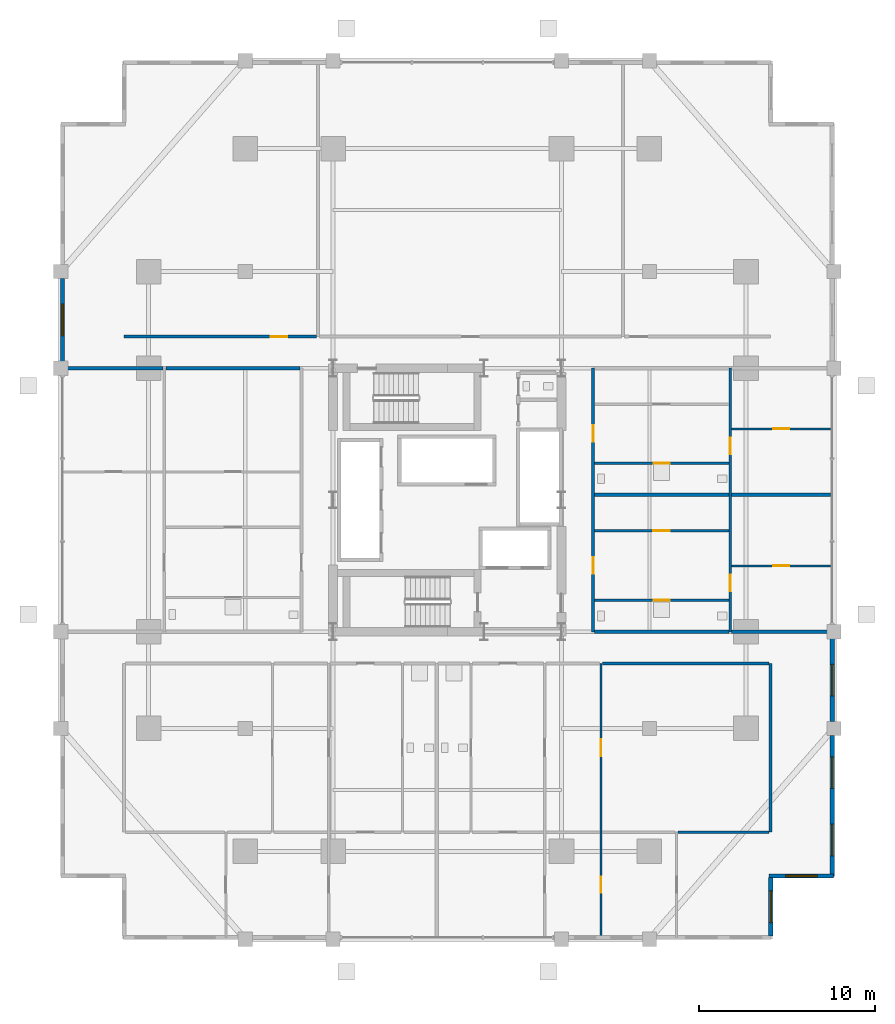
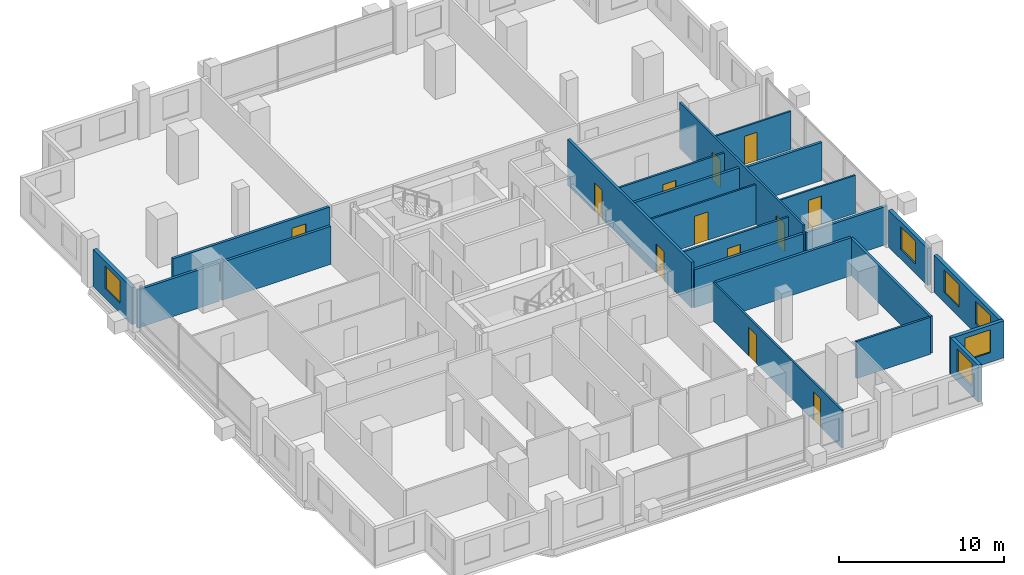
# One storey, part 19 of 23: 23 walls, 12 doors, 6 windows, 18 openings.
"""IFC4 building model written with IfcOpenShell, lengths in metres."""

from ifc_helpers import new_model, si_unit, direction, frame, frame_2d, origin, place, context, subcontext, project, spatial, rectangle, extrude, material, layer, layer_set, type_object, element, fill, save


model = new_model("IFC4")

# Units and contexts
model_context = context("Model", 3, precision=1e-05, world=origin(), true_north=direction((0.0, 1.0)))
body_context = subcontext(model_context, "Body", "Model", "MODEL_VIEW")
ifc_project = project(units=[si_unit("LENGTHUNIT", "METRE"), si_unit("AREAUNIT", "SQUARE_METRE"), si_unit("VOLUMEUNIT", "CUBIC_METRE"), si_unit("PLANEANGLEUNIT", "RADIAN"), si_unit("MASSUNIT", "GRAM", prefix="KILO")], contexts=[model_context])

# Site, building, storey
site_placement = place(None, origin())
site = spatial("IfcSite", under=ifc_project, at=site_placement, CompositionType="ELEMENT")
building_placement = place(site_placement, origin())
building = spatial("IfcBuilding", under=site, at=building_placement, Name="Barlavira Tower and Art Museum", CompositionType="ELEMENT")
storey_placement = place(building_placement, frame((0.0, 0.0, 75.60009765625)))
storey = spatial("IfcBuildingStorey", under=building, at=storey_placement, Name="L18", CompositionType="ELEMENT", Elevation=75.60009765625)

# Wall, openings, doors
ifc_material_1 = material(Name="Gypsum acoustic stud partition", Category="gypsum")
ifc_layer_1 = layer(ifc_material_1, 0.1201171875, Name="Gypsum acoustic stud partition")
ifc_layer_set_1 = layer_set([ifc_layer_1], Name="Gypsum acoustic stud partition")
wall_type_1 = type_object("IfcWallType", Name="Apartment Internal Acoustic Partition 120", PredefinedType="PARTITIONING", material=ifc_layer_set_1)
wall_1_placement = place(storey_placement, frame((8.75, -24.89990234375, 0.0), z_axis=(0.0, 0.0, 1.0), x_axis=(0.0, 1.0, 0.0)))
wall_1 = element("IfcWall", 1, at=wall_1_placement, inside=storey, type_object=wall_type_1, Name="L18 Partition Wall 14", PredefinedType="PARTITIONING", context=body_context, shape_type="SweptSolid", body=[
    extrude(rectangle(XDim=15.599853515625, YDim=0.1201171875, at=frame_2d((7.7998046875, 0.0))), origin(), (0.0, 0.0, 1.0), 2.81591796875),
])
opening_1_placement = place(wall_1_placement, frame((10.324951171875, 0.0, 0.0)))
opening_1 = element("IfcOpeningElement", 2, at=opening_1_placement, cuts=wall_1, Name="Opening D-02", PredefinedType="OPENING", context=body_context, shape_type="SweptSolid", body=[
    extrude(rectangle(XDim=0.949951171875, YDim=2.10009765625, at=frame_2d((0.47509765625, 1.050048828125))), frame((0.0, 0.070068359375, 0.0), z_axis=(0.0, -1.0, 0.0), x_axis=(1.0, 0.0, 0.0)), (0.0, 0.0, 1.0), 0.14013671875),
])
opening_2_placement = place(wall_1_placement, frame((2.550048828125, 0.0, 0.0)))
opening_2 = element("IfcOpeningElement", 3, at=opening_2_placement, cuts=wall_1, Name="Opening D-01", PredefinedType="OPENING", context=body_context, shape_type="SweptSolid", body=[
    extrude(rectangle(XDim=0.89990234375, YDim=2.10009765625, at=frame_2d((0.449951171875, 1.050048828125))), frame((0.0, 0.070068359375, 0.0), z_axis=(0.0, -1.0, 0.0), x_axis=(1.0, 0.0, 0.0)), (0.0, 0.0, 1.0), 0.14013671875),
])
ifc_material_2 = material(Name="Engineered coastal hardwood", Category="wood")
door_type_1 = type_object("IfcDoorType", Name="Internal Bedroom Timber Flush Door 900x2100", OperationType="NOTDEFINED", PredefinedType="DOOR", material=ifc_material_2)
door_1_placement = place(opening_2_placement, origin())
door_1 = element("IfcDoor", 4, at=door_1_placement, inside=storey, type_object=door_type_1, Name="Apartment S2 Bedroom 2 Door", OperationType="SINGLE_SWING_LEFT", OverallHeight=2.10009765625, OverallWidth=0.89990234375, PredefinedType="DOOR", context=body_context, shape_type="SweptSolid", body=[
    extrude(rectangle(XDim=0.89990234375, YDim=2.10009765625, at=frame_2d((0.449951171875, 1.050048828125))), frame((0.0, 0.02490234375, 0.0), z_axis=(0.0, -1.0, 0.0), x_axis=(1.0, 0.0, 0.0)), (0.0, 0.0, 1.0), 0.050048828125),
])
fill(opening_2, door_1)
door_type_2 = type_object("IfcDoorType", Name="Living and Salon Glazed-Leaf Door 950x2100", OperationType="NOTDEFINED", PredefinedType="DOOR", material=ifc_material_2)
door_2_placement = place(opening_1_placement, origin())
door_2 = element("IfcDoor", 5, at=door_2_placement, inside=storey, type_object=door_type_2, Name="Apartment S2 Dining Salon Door", OperationType="SINGLE_SWING_RIGHT", OverallHeight=2.10009765625, OverallWidth=0.949951171875, PredefinedType="DOOR", context=body_context, shape_type="SweptSolid", body=[
    extrude(rectangle(XDim=0.949951171875, YDim=2.10009765625, at=frame_2d((0.47509765625, 1.050048828125))), frame((0.0, 0.02490234375, 0.0), z_axis=(0.0, -1.0, 0.0), x_axis=(1.0, 0.0, 0.0)), (0.0, 0.0, 1.0), 0.050048828125),
])
fill(opening_1, door_2)

# Wall, opening, door
wall_2_placement = place(storey_placement, frame((16.179931640625, -3.75, 0.0), z_axis=(0.0, 0.0, 1.0), x_axis=(1.0, 0.0, 0.0)))
wall_2 = element("IfcWall", 6, at=wall_2_placement, inside=storey, type_object=wall_type_1, Name="L18 Partition Wall 43", PredefinedType="PARTITIONING", context=body_context, shape_type="SweptSolid", body=[
    extrude(rectangle(XDim=5.64013671875, YDim=0.1201171875, at=frame_2d((2.820068359375, 0.0))), origin(), (0.0, 0.0, 1.0), 2.81591796875),
])
opening_3_placement = place(wall_2_placement, frame((2.3701171875, 0.0, 0.0)))
opening_3 = element("IfcOpeningElement", 7, at=opening_3_placement, cuts=wall_2, Name="Opening D-01", PredefinedType="OPENING", context=body_context, shape_type="SweptSolid", body=[
    extrude(rectangle(XDim=0.89990234375, YDim=2.10009765625, at=frame_2d((0.449951171875, 1.050048828125))), frame((0.0, 0.070068359375, 0.0), z_axis=(0.0, -1.0, 0.0), x_axis=(1.0, 0.0, 0.0)), (0.0, 0.0, 1.0), 0.14013671875),
])
door_3_placement = place(opening_3_placement, origin())
door_3 = element("IfcDoor", 8, at=door_3_placement, inside=storey, type_object=door_type_1, Name="Apartment E1 Bedroom 1 Door", OperationType="SINGLE_SWING_RIGHT", OverallHeight=2.10009765625, OverallWidth=0.89990234375, PredefinedType="DOOR", context=body_context, shape_type="SweptSolid", body=[
    extrude(rectangle(XDim=0.89990234375, YDim=2.10009765625, at=frame_2d((0.449951171875, 1.050048828125))), frame((0.0, 0.02490234375, 0.0), z_axis=(0.0, -1.0, 0.0), x_axis=(1.0, 0.0, 0.0)), (0.0, 0.0, 1.0), 0.050048828125),
])
fill(opening_3, door_3)

wall_3_placement = place(storey_placement, frame((8.3798828125, -1.75, 0.0), z_axis=(0.0, 0.0, 1.0), x_axis=(1.0, 0.0, 0.0)))
wall_3 = element("IfcWall", 9, at=wall_3_placement, inside=storey, type_object=wall_type_1, Name="L18 Partition Wall 44", PredefinedType="PARTITIONING", context=body_context, shape_type="SweptSolid", body=[
    extrude(rectangle(XDim=7.64013671875, YDim=0.1201171875, at=frame_2d((3.820068359375, 0.0))), origin(), (0.0, 0.0, 1.0), 2.947998046875),
])
opening_4_placement = place(wall_3_placement, frame((3.344970703125, 0.0, 0.0)))
opening_4 = element("IfcOpeningElement", 10, at=opening_4_placement, cuts=wall_3, Name="Opening D-02", PredefinedType="OPENING", context=body_context, shape_type="SweptSolid", body=[
    extrude(rectangle(XDim=0.949951171875, YDim=2.10009765625, at=frame_2d((0.47509765625, 1.050048828125))), frame((0.0, 0.070068359375, 0.0), z_axis=(0.0, -1.0, 0.0), x_axis=(1.0, 0.0, 0.0)), (0.0, 0.0, 1.0), 0.14013671875),
])
door_4_placement = place(opening_4_placement, origin())
door_4 = element("IfcDoor", 11, at=door_4_placement, inside=storey, type_object=door_type_2, Name="Apartment E1 Kitchen Door", OperationType="SINGLE_SWING_RIGHT", OverallHeight=2.10009765625, OverallWidth=0.949951171875, PredefinedType="DOOR", context=body_context, shape_type="SweptSolid", body=[
    extrude(rectangle(XDim=0.949951171875, YDim=2.10009765625, at=frame_2d((0.47509765625, 1.050048828125))), frame((0.0, 0.02490234375, 0.0), z_axis=(0.0, -1.0, 0.0), x_axis=(1.0, 0.0, 0.0)), (0.0, 0.0, 1.0), 0.050048828125),
])
fill(opening_4, door_4)

wall_4_placement = place(storey_placement, frame((16.179931640625, 4.050048828125, 0.0), z_axis=(0.0, 0.0, 1.0), x_axis=(1.0, 0.0, 0.0)))
wall_4 = element("IfcWall", 12, at=wall_4_placement, inside=storey, type_object=wall_type_1, Name="L18 Partition Wall 51", PredefinedType="PARTITIONING", context=body_context, shape_type="SweptSolid", body=[
    extrude(rectangle(XDim=5.64013671875, YDim=0.1201171875, at=frame_2d((2.820068359375, 0.0))), origin(), (0.0, 0.0, 1.0), 2.81591796875),
])
opening_5_placement = place(wall_4_placement, frame((2.3701171875, 0.0, 0.0)))
opening_5 = element("IfcOpeningElement", 13, at=opening_5_placement, cuts=wall_4, Name="Opening D-01", PredefinedType="OPENING", context=body_context, shape_type="SweptSolid", body=[
    extrude(rectangle(XDim=0.89990234375, YDim=2.10009765625, at=frame_2d((0.449951171875, 1.050048828125))), frame((0.0, 0.070068359375, 0.0), z_axis=(0.0, -1.0, 0.0), x_axis=(1.0, 0.0, 0.0)), (0.0, 0.0, 1.0), 0.14013671875),
])
door_5_placement = place(opening_5_placement, origin())
door_5 = element("IfcDoor", 14, at=door_5_placement, inside=storey, type_object=door_type_1, Name="Apartment E2 Bedroom 1 Door", OperationType="SINGLE_SWING_LEFT", OverallHeight=2.10009765625, OverallWidth=0.89990234375, PredefinedType="DOOR", context=body_context, shape_type="SweptSolid", body=[
    extrude(rectangle(XDim=0.89990234375, YDim=2.10009765625, at=frame_2d((0.449951171875, 1.050048828125))), frame((0.0, 0.02490234375, 0.0), z_axis=(0.0, -1.0, 0.0), x_axis=(1.0, 0.0, 0.0)), (0.0, 0.0, 1.0), 0.050048828125),
])
fill(opening_5, door_5)

# Wall, openings, doors
ifc_layer_2 = layer(ifc_material_1, 0.179931640625, Name="Gypsum acoustic stud partition")
ifc_layer_set_2 = layer_set([ifc_layer_2], Name="Gypsum acoustic stud partition")
wall_type_2 = type_object("IfcWallType", Name="Inter-Tenancy Party Partition Wall 180", PredefinedType="PARTITIONING", material=ifc_layer_set_2)
wall_5_placement = place(storey_placement, frame((8.300048828125, -7.5, 0.0), z_axis=(0.0, 0.0, 1.0), x_axis=(0.0, 1.0, 0.0)))
wall_5 = element("IfcWall", 15, at=wall_5_placement, inside=storey, type_object=wall_type_2, Name="L18 Partition Wall 13", PredefinedType="PARTITIONING", context=body_context, shape_type="SweptSolid", body=[
    extrude(rectangle(XDim=15.0, YDim=0.179931640625, at=frame_2d((7.5, 0.0))), origin(), (0.0, 0.0, 1.0), 3.3798828125),
])
opening_6_placement = place(wall_5_placement, frame((3.304931640625, 0.0, 0.0)))
opening_6 = element("IfcOpeningElement", 16, at=opening_6_placement, cuts=wall_5, Name="Opening FD-60", PredefinedType="OPENING", context=body_context, shape_type="SweptSolid", body=[
    extrude(rectangle(XDim=0.949951171875, YDim=2.14990234375, at=frame_2d((0.47509765625, 1.074951171875))), frame((0.0, 0.10009765625, 0.0), z_axis=(0.0, -1.0, 0.0), x_axis=(1.0, 0.0, 0.0)), (0.0, 0.0, 1.0), 0.199951171875),
])
opening_7_placement = place(wall_5_placement, frame((10.804931640625, 0.0, 0.0)))
opening_7 = element("IfcOpeningElement", 17, at=opening_7_placement, cuts=wall_5, Name="Opening FD-60", PredefinedType="OPENING", context=body_context, shape_type="SweptSolid", body=[
    extrude(rectangle(XDim=0.949951171875, YDim=2.14990234375, at=frame_2d((0.47509765625, 1.074951171875))), frame((0.0, 0.10009765625, 0.0), z_axis=(0.0, -1.0, 0.0), x_axis=(1.0, 0.0, 0.0)), (0.0, 0.0, 1.0), 0.199951171875),
])
ifc_material_3 = material(Name="Brushed stainless steel", Category="steel")
door_type_3 = type_object("IfcDoorType", Name="Apartment Entrance and Riser Fire Door 950x2150 FD60S", OperationType="NOTDEFINED", PredefinedType="DOOR", material=ifc_material_3)
door_6_placement = place(opening_6_placement, origin())
door_6 = element("IfcDoor", 18, at=door_6_placement, inside=storey, type_object=door_type_3, Name="Apartment Entrance Hall E1 Door", OperationType="SINGLE_SWING_LEFT", OverallHeight=2.14990234375, OverallWidth=0.949951171875, PredefinedType="DOOR", context=body_context, shape_type="SweptSolid", body=[
    extrude(rectangle(XDim=0.949951171875, YDim=2.14990234375, at=frame_2d((0.47509765625, 1.074951171875))), frame((0.0, 0.02490234375, 0.0), z_axis=(0.0, -1.0, 0.0), x_axis=(1.0, 0.0, 0.0)), (0.0, 0.0, 1.0), 0.050048828125),
])
fill(opening_6, door_6)
door_7_placement = place(opening_7_placement, origin())
door_7 = element("IfcDoor", 19, at=door_7_placement, inside=storey, type_object=door_type_3, Name="Apartment Entrance Hall E2 Door", OperationType="SINGLE_SWING_RIGHT", OverallHeight=2.14990234375, OverallWidth=0.949951171875, PredefinedType="DOOR", context=body_context, shape_type="SweptSolid", body=[
    extrude(rectangle(XDim=0.949951171875, YDim=2.14990234375, at=frame_2d((0.47509765625, 1.074951171875))), frame((0.0, 0.02490234375, 0.0), z_axis=(0.0, -1.0, 0.0), x_axis=(1.0, 0.0, 0.0)), (0.0, 0.0, 1.0), 0.050048828125),
])
fill(opening_7, door_7)

# Walls
wall_6_placement = place(storey_placement, frame((18.39990234375, -18.89990234375, 0.0), z_axis=(0.0, 0.0, 1.0), x_axis=(0.0, 1.0, 0.0)))
element("IfcWall", 20, at=wall_6_placement, inside=storey, type_object=wall_type_2, Name="L18 Partition Wall 18", PredefinedType="PARTITIONING", context=body_context, shape_type="SweptSolid", body=[
    extrude(rectangle(XDim=9.599853515625, YDim=0.179931640625, at=frame_2d((4.7998046875, 0.0))), origin(), (0.0, 0.0, 1.0), 2.73583984375),
])
wall_7_placement = place(storey_placement, frame((8.830078125, -9.300048828125, 0.0), z_axis=(0.0, 0.0, 1.0), x_axis=(1.0, 0.0, 0.0)))
element("IfcWall", 21, at=wall_7_placement, inside=storey, type_object=wall_type_2, Name="L18 Partition Wall 36", PredefinedType="PARTITIONING", context=body_context, shape_type="SweptSolid", body=[
    extrude(rectangle(XDim=9.489990234375, YDim=0.179931640625, at=frame_2d((4.7451171875, 0.0))), origin(), (0.0, 0.0, 1.0), 2.81591796875),
])
wall_8_placement = place(storey_placement, frame((8.3798828125, -7.5, 0.0), z_axis=(0.0, 0.0, 1.0), x_axis=(1.0, 0.0, 0.0)))
element("IfcWall", 22, at=wall_8_placement, inside=storey, type_object=wall_type_2, Name="L18 Partition Wall 39", PredefinedType="PARTITIONING", context=body_context, shape_type="SweptSolid", body=[
    extrude(rectangle(XDim=7.64013671875, YDim=0.179931640625, at=frame_2d((3.820068359375, 0.0))), origin(), (0.0, 0.0, 1.0), 2.81591796875),
])
wall_9_placement = place(storey_placement, frame((16.179931640625, -7.5, 0.0), z_axis=(0.0, 0.0, 1.0), x_axis=(1.0, 0.0, 0.0)))
element("IfcWall", 23, at=wall_9_placement, inside=storey, type_object=wall_type_2, Name="L18 Partition Wall 40", PredefinedType="PARTITIONING", context=body_context, shape_type="SweptSolid", body=[
    extrude(rectangle(XDim=5.719970703125, YDim=0.179931640625, at=frame_2d((2.85986328125, 0.0))), origin(), (0.0, 0.0, 1.0), 2.81591796875),
])
wall_10_placement = place(storey_placement, frame((8.3798828125, 0.300048828125, 0.0), z_axis=(0.0, 0.0, 1.0), x_axis=(1.0, 0.0, 0.0)))
element("IfcWall", 24, at=wall_10_placement, inside=storey, type_object=wall_type_2, Name="L18 Partition Wall 46", PredefinedType="PARTITIONING", context=body_context, shape_type="SweptSolid", body=[
    extrude(rectangle(XDim=7.64013671875, YDim=0.179931640625, at=frame_2d((3.820068359375, 0.0))), origin(), (0.0, 0.0, 1.0), 2.947998046875),
])
wall_11_placement = place(storey_placement, frame((16.179931640625, 0.300048828125, 0.0), z_axis=(0.0, 0.0, 1.0), x_axis=(1.0, 0.0, 0.0)))
element("IfcWall", 25, at=wall_11_placement, inside=storey, type_object=wall_type_2, Name="L18 Partition Wall 47", PredefinedType="PARTITIONING", context=body_context, shape_type="SweptSolid", body=[
    extrude(rectangle(XDim=5.64013671875, YDim=0.179931640625, at=frame_2d((2.820068359375, 0.0))), origin(), (0.0, 0.0, 1.0), 2.81591796875),
])
wall_12_placement = place(storey_placement, frame((-21.89990234375, 7.5, 0.0), z_axis=(0.0, 0.0, 1.0), x_axis=(1.0, 0.0, 0.0)))
element("IfcWall", 26, at=wall_12_placement, inside=storey, type_object=wall_type_2, Name="L18 Partition Wall 55", PredefinedType="PARTITIONING", context=body_context, shape_type="SweptSolid", body=[
    extrude(rectangle(XDim=5.719970703125, YDim=0.179931640625, at=frame_2d((2.85986328125, 0.0))), origin(), (0.0, 0.0, 1.0), 2.81591796875),
])
wall_13_placement = place(storey_placement, frame((-16.02001953125, 7.5, 0.0), z_axis=(0.0, 0.0, 1.0), x_axis=(1.0, 0.0, 0.0)))
element("IfcWall", 27, at=wall_13_placement, inside=storey, type_object=wall_type_2, Name="L18 Partition Wall 56", PredefinedType="PARTITIONING", context=body_context, shape_type="SweptSolid", body=[
    extrude(rectangle(XDim=7.64013671875, YDim=0.179931640625, at=frame_2d((3.820068359375, 0.0))), origin(), (0.0, 0.0, 1.0), 2.81591796875),
])

# Wall, opening, door
wall_14_placement = place(storey_placement, frame((-18.39990234375, 9.300048828125, 0.0), z_axis=(0.0, 0.0, 1.0), x_axis=(1.0, 0.0, 0.0)))
wall_14 = element("IfcWall", 28, at=wall_14_placement, inside=storey, type_object=wall_type_2, Name="L18 Partition Wall 59", PredefinedType="PARTITIONING", context=body_context, shape_type="SweptSolid", body=[
    extrude(rectangle(XDim=10.969970703125, YDim=0.179931640625, at=frame_2d((5.48486328125, 0.0))), origin(), (0.0, 0.0, 1.0), 2.81591796875),
])
opening_8_placement = place(wall_14_placement, frame((8.344970703125, 0.0, 0.0)))
opening_8 = element("IfcOpeningElement", 29, at=opening_8_placement, cuts=wall_14, Name="Opening FD-60", PredefinedType="OPENING", context=body_context, shape_type="SweptSolid", body=[
    extrude(rectangle(XDim=0.949951171875, YDim=2.14990234375, at=frame_2d((0.47509765625, 1.074951171875))), frame((0.0, 0.10009765625, 0.0), z_axis=(0.0, -1.0, 0.0), x_axis=(1.0, 0.0, 0.0)), (0.0, 0.0, 1.0), 0.199951171875),
])
door_8_placement = place(opening_8_placement, origin())
door_8 = element("IfcDoor", 30, at=door_8_placement, inside=storey, type_object=door_type_3, Name="Resident Rare-Book Reading Room Door", OperationType="SINGLE_SWING_LEFT", OverallHeight=2.14990234375, OverallWidth=0.949951171875, PredefinedType="DOOR", context=body_context, shape_type="SweptSolid", body=[
    extrude(rectangle(XDim=0.949951171875, YDim=2.14990234375, at=frame_2d((0.47509765625, 1.074951171875))), frame((0.0, 0.02490234375, 0.0), z_axis=(0.0, -1.0, 0.0), x_axis=(1.0, 0.0, 0.0)), (0.0, 0.0, 1.0), 0.050048828125),
])
fill(opening_8, door_8)

# Wall, openings, doors
ifc_layer_3 = layer(ifc_material_1, 0.139892578125, Name="Gypsum acoustic stud partition")
ifc_layer_set_3 = layer_set([ifc_layer_3], Name="Gypsum acoustic stud partition")
wall_type_3 = type_object("IfcWallType", Name="Moisture-Resistant Bathroom Partition 140", PredefinedType="PARTITIONING", material=ifc_layer_set_3)
wall_15_placement = place(storey_placement, frame((16.10009765625, -7.5, 0.0), z_axis=(0.0, 0.0, 1.0), x_axis=(0.0, 1.0, 0.0)))
wall_15 = element("IfcWall", 31, at=wall_15_placement, inside=storey, type_object=wall_type_3, Name="L18 Partition Wall 17", PredefinedType="PARTITIONING", context=body_context, shape_type="SweptSolid", body=[
    extrude(rectangle(XDim=15.0, YDim=0.139892578125, at=frame_2d((7.5, 0.0))), origin(), (0.0, 0.0, 1.0), 3.3798828125),
])
opening_9_placement = place(wall_15_placement, frame((2.304931640625, 0.0, 0.0)))
opening_9 = element("IfcOpeningElement", 32, at=opening_9_placement, cuts=wall_15, Name="Opening D-02", PredefinedType="OPENING", context=body_context, shape_type="SweptSolid", body=[
    extrude(rectangle(XDim=0.949951171875, YDim=2.10009765625, at=frame_2d((0.47509765625, 1.050048828125))), frame((0.0, 0.080078125, 0.0), z_axis=(0.0, -1.0, 0.0), x_axis=(1.0, 0.0, 0.0)), (0.0, 0.0, 1.0), 0.159912109375),
])
opening_10_placement = place(wall_15_placement, frame((10.10498046875, 0.0, 0.0)))
opening_10 = element("IfcOpeningElement", 33, at=opening_10_placement, cuts=wall_15, Name="Opening D-02", PredefinedType="OPENING", context=body_context, shape_type="SweptSolid", body=[
    extrude(rectangle(XDim=0.949951171875, YDim=2.10009765625, at=frame_2d((0.47509765625, 1.050048828125))), frame((0.0, 0.080078125, 0.0), z_axis=(0.0, -1.0, 0.0), x_axis=(1.0, 0.0, 0.0)), (0.0, 0.0, 1.0), 0.159912109375),
])
door_9_placement = place(opening_9_placement, origin())
door_9 = element("IfcDoor", 34, at=door_9_placement, inside=storey, type_object=door_type_2, Name="Apartment E1 Living Lounge Door", OperationType="SINGLE_SWING_LEFT", OverallHeight=2.10009765625, OverallWidth=0.949951171875, PredefinedType="DOOR", context=body_context, shape_type="SweptSolid", body=[
    extrude(rectangle(XDim=0.949951171875, YDim=2.10009765625, at=frame_2d((0.47509765625, 1.050048828125))), frame((0.0, 0.02490234375, 0.0), z_axis=(0.0, -1.0, 0.0), x_axis=(1.0, 0.0, 0.0)), (0.0, 0.0, 1.0), 0.050048828125),
])
fill(opening_9, door_9)
door_10_placement = place(opening_10_placement, origin())
door_10 = element("IfcDoor", 35, at=door_10_placement, inside=storey, type_object=door_type_2, Name="Apartment E2 Living Lounge Door", OperationType="SINGLE_SWING_RIGHT", OverallHeight=2.10009765625, OverallWidth=0.949951171875, PredefinedType="DOOR", context=body_context, shape_type="SweptSolid", body=[
    extrude(rectangle(XDim=0.949951171875, YDim=2.10009765625, at=frame_2d((0.47509765625, 1.050048828125))), frame((0.0, 0.02490234375, 0.0), z_axis=(0.0, -1.0, 0.0), x_axis=(1.0, 0.0, 0.0)), (0.0, 0.0, 1.0), 0.050048828125),
])
fill(opening_10, door_10)

# Wall
wall_16_placement = place(storey_placement, frame((13.1298828125, -18.89990234375, 0.0), z_axis=(0.0, 0.0, 1.0), x_axis=(1.0, 0.0, 0.0)))
element("IfcWall", 36, at=wall_16_placement, inside=storey, type_object=wall_type_3, Name="L18 Partition Wall 28", PredefinedType="PARTITIONING", context=body_context, shape_type="SweptSolid", body=[
    extrude(rectangle(XDim=5.190185546875, YDim=0.139892578125, at=frame_2d((2.59521484375, 0.0))), origin(), (0.0, 0.0, 1.0), 2.73583984375),
])

# Wall, opening, door
wall_17_placement = place(storey_placement, frame((8.3798828125, -5.699951171875, 0.0), z_axis=(0.0, 0.0, 1.0), x_axis=(1.0, 0.0, 0.0)))
wall_17 = element("IfcWall", 37, at=wall_17_placement, inside=storey, type_object=wall_type_3, Name="L18 Partition Wall 41", PredefinedType="PARTITIONING", context=body_context, shape_type="SweptSolid", body=[
    extrude(rectangle(XDim=7.64013671875, YDim=0.139892578125, at=frame_2d((3.820068359375, 0.0))), origin(), (0.0, 0.0, 1.0), 2.947998046875),
])
opening_11_placement = place(wall_17_placement, frame((3.3701171875, 0.0, 0.0)))
opening_11 = element("IfcOpeningElement", 38, at=opening_11_placement, cuts=wall_17, Name="Opening D-WC", PredefinedType="OPENING", context=body_context, shape_type="SweptSolid", body=[
    extrude(rectangle(XDim=0.89990234375, YDim=2.10009765625, at=frame_2d((0.449951171875, 1.050048828125))), frame((0.0, 0.080078125, 0.0), z_axis=(0.0, -1.0, 0.0), x_axis=(1.0, 0.0, 0.0)), (0.0, 0.0, 1.0), 0.159912109375),
])
door_type_4 = type_object("IfcDoorType", Name="Accessible Bathroom Flush Door 900x2100", OperationType="NOTDEFINED", PredefinedType="DOOR", material=ifc_material_2)
door_11_placement = place(opening_11_placement, origin())
door_11 = element("IfcDoor", 39, at=door_11_placement, inside=storey, type_object=door_type_4, Name="Apartment E1 Hall Bathroom Door", OperationType="SINGLE_SWING_RIGHT", OverallHeight=2.10009765625, OverallWidth=0.89990234375, PredefinedType="DOOR", context=body_context, shape_type="SweptSolid", body=[
    extrude(rectangle(XDim=0.89990234375, YDim=2.10009765625, at=frame_2d((0.449951171875, 1.050048828125))), frame((0.0, 0.02490234375, 0.0), z_axis=(0.0, -1.0, 0.0), x_axis=(1.0, 0.0, 0.0)), (0.0, 0.0, 1.0), 0.050048828125),
])
fill(opening_11, door_11)

wall_18_placement = place(storey_placement, frame((8.3798828125, 2.10009765625, 0.0), z_axis=(0.0, 0.0, 1.0), x_axis=(1.0, 0.0, 0.0)))
wall_18 = element("IfcWall", 40, at=wall_18_placement, inside=storey, type_object=wall_type_3, Name="L18 Partition Wall 50", PredefinedType="PARTITIONING", context=body_context, shape_type="SweptSolid", body=[
    extrude(rectangle(XDim=7.64013671875, YDim=0.139892578125, at=frame_2d((3.820068359375, 0.0))), origin(), (0.0, 0.0, 1.0), 2.947998046875),
])
opening_12_placement = place(wall_18_placement, frame((3.3701171875, 0.0, 0.0)))
opening_12 = element("IfcOpeningElement", 41, at=opening_12_placement, cuts=wall_18, Name="Opening D-WC", PredefinedType="OPENING", context=body_context, shape_type="SweptSolid", body=[
    extrude(rectangle(XDim=0.89990234375, YDim=2.10009765625, at=frame_2d((0.449951171875, 1.050048828125))), frame((0.0, 0.080078125, 0.0), z_axis=(0.0, -1.0, 0.0), x_axis=(1.0, 0.0, 0.0)), (0.0, 0.0, 1.0), 0.159912109375),
])
door_12_placement = place(opening_12_placement, origin())
door_12 = element("IfcDoor", 42, at=door_12_placement, inside=storey, type_object=door_type_4, Name="Apartment E2 Hall Bathroom Door", OperationType="SINGLE_SWING_LEFT", OverallHeight=2.10009765625, OverallWidth=0.89990234375, PredefinedType="DOOR", context=body_context, shape_type="SweptSolid", body=[
    extrude(rectangle(XDim=0.89990234375, YDim=2.10009765625, at=frame_2d((0.449951171875, 1.050048828125))), frame((0.0, 0.02490234375, 0.0), z_axis=(0.0, -1.0, 0.0), x_axis=(1.0, 0.0, 0.0)), (0.0, 0.0, 1.0), 0.050048828125),
])
fill(opening_12, door_12)

# Wall, opening, window
ifc_material_4 = material(Name="Precast concrete C40", Category="concrete")
ifc_layer_4 = layer(ifc_material_4, 0.25, Name="Precast concrete C40")
ifc_layer_set_4 = layer_set([ifc_layer_4], Name="Precast concrete C40")
wall_type_4 = type_object("IfcWallType", Name="Notched Corner Spandrel Wall 250 Precast Concrete C40", PredefinedType="SOLIDWALL", material=ifc_layer_set_4)
wall_19_placement = place(storey_placement, frame((-21.89990234375, 12.60498046875, 0.0), z_axis=(0.0, 0.0, 1.0), x_axis=(0.0, -1.0, 0.0)))
wall_19 = element("IfcWall", 43, at=wall_19_placement, inside=storey, type_object=wall_type_4, Name="L18 Coastal Facade Pier Wall CW1-L18-W-2", PredefinedType="SOLIDWALL", context=body_context, shape_type="SweptSolid", body=[
    extrude(rectangle(XDim=4.7099609375, YDim=0.25, at=frame_2d((2.35498046875, 0.0))), origin(), (0.0, 0.0, 1.0), 2.73583984375),
])
opening_13_placement = place(wall_19_placement, frame((1.455078125, 0.0, 0.719970703125)))
opening_13 = element("IfcOpeningElement", 44, at=opening_13_placement, cuts=wall_19, Name="Opening WN-01", PredefinedType="OPENING", context=body_context, shape_type="SweptSolid", body=[
    extrude(rectangle(XDim=1.800048828125, YDim=1.679931640625, at=frame_2d((0.89990234375, 0.83984375))), frame((0.0, 0.135009765625, 0.0), z_axis=(0.0, -1.0, 0.0), x_axis=(1.0, 0.0, 0.0)), (0.0, 0.0, 1.0), 0.27001953125),
])
ifc_material_5 = material(Name="Low-iron coastal laminated glass", Category="glass")
window_type = type_object("IfcWindowType", Name="Recessed Notch Corner Punch Window 1800x1680", PartitioningType="SINGLE_PANEL", PredefinedType="WINDOW", material=ifc_material_5)
window_1_placement = place(opening_13_placement, origin())
window_1 = element("IfcWindow", 45, at=window_1_placement, inside=storey, type_object=window_type, Name="L18 Punched Facade Window EWP-CW1-L18-W-2-1", OverallHeight=1.679931640625, OverallWidth=1.800048828125, PartitioningType="SINGLE_PANEL", PredefinedType="WINDOW", context=body_context, shape_type="SweptSolid", body=[
    extrude(rectangle(XDim=1.800048828125, YDim=1.679931640625, at=frame_2d((0.89990234375, 0.83984375))), frame((0.0, 0.030029296875, 0.0), z_axis=(0.0, -1.0, 0.0), x_axis=(1.0, 0.0, 0.0)), (0.0, 0.0, 1.0), 0.06005859375),
])
fill(opening_13, window_1)

# Wall, openings, windows
wall_20_placement = place(storey_placement, frame((21.89990234375, -21.425048828125, 0.0), z_axis=(0.0, 0.0, 1.0), x_axis=(0.0, 1.0, 0.0)))
wall_20 = element("IfcWall", 46, at=wall_20_placement, inside=storey, type_object=wall_type_4, Name="L18 Coastal Facade Pier Wall CW1-L18-E-1", PredefinedType="SOLIDWALL", context=body_context, shape_type="SweptSolid", body=[
    extrude(rectangle(XDim=8.030029296875, YDim=0.25, at=frame_2d((4.01513671875, 0.0))), origin(), (0.0, 0.0, 1.0), 2.73583984375),
])
opening_14_placement = place(wall_20_placement, frame((1.176025390625, 0.0, 0.719970703125)))
opening_14 = element("IfcOpeningElement", 47, at=opening_14_placement, cuts=wall_20, Name="Opening WN-01", PredefinedType="OPENING", context=body_context, shape_type="SweptSolid", body=[
    extrude(rectangle(XDim=1.800048828125, YDim=1.679931640625, at=frame_2d((0.89990234375, 0.83984375))), frame((0.0, 0.135009765625, 0.0), z_axis=(0.0, -1.0, 0.0), x_axis=(1.0, 0.0, 0.0)), (0.0, 0.0, 1.0), 0.27001953125),
])
opening_15_placement = place(wall_20_placement, frame((5.009033203125, 0.0, 0.719970703125)))
opening_15 = element("IfcOpeningElement", 48, at=opening_15_placement, cuts=wall_20, Name="Opening WN-01", PredefinedType="OPENING", context=body_context, shape_type="SweptSolid", body=[
    extrude(rectangle(XDim=1.800048828125, YDim=1.679931640625, at=frame_2d((0.89990234375, 0.83984375))), frame((0.0, 0.135009765625, 0.0), z_axis=(0.0, -1.0, 0.0), x_axis=(1.0, 0.0, 0.0)), (0.0, 0.0, 1.0), 0.27001953125),
])
window_2_placement = place(opening_14_placement, origin())
window_2 = element("IfcWindow", 49, at=window_2_placement, inside=storey, type_object=window_type, Name="L18 Punched Facade Window EWP-CW1-L18-E-1-1", OverallHeight=1.679931640625, OverallWidth=1.800048828125, PartitioningType="SINGLE_PANEL", PredefinedType="WINDOW", context=body_context, shape_type="SweptSolid", body=[
    extrude(rectangle(XDim=1.800048828125, YDim=1.679931640625, at=frame_2d((0.89990234375, 0.83984375))), frame((0.0, 0.030029296875, 0.0), z_axis=(0.0, -1.0, 0.0), x_axis=(1.0, 0.0, 0.0)), (0.0, 0.0, 1.0), 0.06005859375),
])
fill(opening_14, window_2)
window_3_placement = place(opening_15_placement, origin())
window_3 = element("IfcWindow", 50, at=window_3_placement, inside=storey, type_object=window_type, Name="L18 Punched Facade Window EWP-CW1-L18-E-1-2", OverallHeight=1.679931640625, OverallWidth=1.800048828125, PartitioningType="SINGLE_PANEL", PredefinedType="WINDOW", context=body_context, shape_type="SweptSolid", body=[
    extrude(rectangle(XDim=1.800048828125, YDim=1.679931640625, at=frame_2d((0.89990234375, 0.83984375))), frame((0.0, 0.030029296875, 0.0), z_axis=(0.0, -1.0, 0.0), x_axis=(1.0, 0.0, 0.0)), (0.0, 0.0, 1.0), 0.06005859375),
])
fill(opening_15, window_3)

# Wall, opening, window
wall_21_placement = place(storey_placement, frame((21.89990234375, -12.60498046875, 0.0), z_axis=(0.0, 0.0, 1.0), x_axis=(0.0, 1.0, 0.0)))
wall_21 = element("IfcWall", 51, at=wall_21_placement, inside=storey, type_object=wall_type_4, Name="L18 Coastal Facade Pier Wall CW1-L18-E-2", PredefinedType="SOLIDWALL", context=body_context, shape_type="SweptSolid", body=[
    extrude(rectangle(XDim=4.7099609375, YDim=0.25, at=frame_2d((2.35498046875, 0.0))), origin(), (0.0, 0.0, 1.0), 2.73583984375),
])
opening_16_placement = place(wall_21_placement, frame((1.455078125, 0.0, 0.719970703125)))
opening_16 = element("IfcOpeningElement", 52, at=opening_16_placement, cuts=wall_21, Name="Opening WN-01", PredefinedType="OPENING", context=body_context, shape_type="SweptSolid", body=[
    extrude(rectangle(XDim=1.800048828125, YDim=1.679931640625, at=frame_2d((0.89990234375, 0.83984375))), frame((0.0, 0.135009765625, 0.0), z_axis=(0.0, -1.0, 0.0), x_axis=(1.0, 0.0, 0.0)), (0.0, 0.0, 1.0), 0.27001953125),
])
window_4_placement = place(opening_16_placement, origin())
window_4 = element("IfcWindow", 53, at=window_4_placement, inside=storey, type_object=window_type, Name="L18 Punched Facade Window EWP-CW1-L18-E-2-1", OverallHeight=1.679931640625, OverallWidth=1.800048828125, PartitioningType="SINGLE_PANEL", PredefinedType="WINDOW", context=body_context, shape_type="SweptSolid", body=[
    extrude(rectangle(XDim=1.800048828125, YDim=1.679931640625, at=frame_2d((0.89990234375, 0.83984375))), frame((0.0, 0.030029296875, 0.0), z_axis=(0.0, -1.0, 0.0), x_axis=(1.0, 0.0, 0.0)), (0.0, 0.0, 1.0), 0.06005859375),
])
fill(opening_16, window_4)

wall_22_placement = place(storey_placement, frame((18.39990234375, -24.820068359375, 0.0), z_axis=(0.0, 0.0, 1.0), x_axis=(0.0, 1.0, 0.0)))
wall_22 = element("IfcWall", 54, at=wall_22_placement, inside=storey, type_object=wall_type_4, Name="L18 Notch Corner Wall SE1", PredefinedType="SOLIDWALL", context=body_context, shape_type="SweptSolid", body=[
    extrude(rectangle(XDim=3.340087890625, YDim=0.25, at=frame_2d((1.669921875, 0.0))), origin(), (0.0, 0.0, 1.0), 2.73583984375),
])
opening_17_placement = place(wall_22_placement, frame((0.77001953125, 0.0, 0.719970703125)))
opening_17 = element("IfcOpeningElement", 55, at=opening_17_placement, cuts=wall_22, Name="Opening WN-01", PredefinedType="OPENING", context=body_context, shape_type="SweptSolid", body=[
    extrude(rectangle(XDim=1.800048828125, YDim=1.679931640625, at=frame_2d((0.89990234375, 0.83984375))), frame((0.0, 0.135009765625, 0.0), z_axis=(0.0, -1.0, 0.0), x_axis=(1.0, 0.0, 0.0)), (0.0, 0.0, 1.0), 0.27001953125),
])
window_5_placement = place(opening_17_placement, origin())
window_5 = element("IfcWindow", 56, at=window_5_placement, inside=storey, type_object=window_type, Name="L18 Punched Facade Window EW-NTC-L18-SE1-1", OverallHeight=1.679931640625, OverallWidth=1.800048828125, PartitioningType="SINGLE_PANEL", PredefinedType="WINDOW", context=body_context, shape_type="SweptSolid", body=[
    extrude(rectangle(XDim=1.800048828125, YDim=1.679931640625, at=frame_2d((0.89990234375, 0.83984375))), frame((0.0, 0.030029296875, 0.0), z_axis=(0.0, -1.0, 0.0), x_axis=(1.0, 0.0, 0.0)), (0.0, 0.0, 1.0), 0.06005859375),
])
fill(opening_17, window_5)

wall_23_placement = place(storey_placement, frame((18.320068359375, -21.39990234375, 0.0), z_axis=(0.0, 0.0, 1.0), x_axis=(1.0, 0.0, 0.0)))
wall_23 = element("IfcWall", 57, at=wall_23_placement, inside=storey, type_object=wall_type_4, Name="L18 Notch Corner Wall SE2", PredefinedType="SOLIDWALL", context=body_context, shape_type="SweptSolid", body=[
    extrude(rectangle(XDim=3.659912109375, YDim=0.25, at=frame_2d((1.830078125, 0.0))), origin(), (0.0, 0.0, 1.0), 2.73583984375),
])
opening_18_placement = place(wall_23_placement, frame((0.929931640625, 0.0, 0.719970703125)))
opening_18 = element("IfcOpeningElement", 58, at=opening_18_placement, cuts=wall_23, Name="Opening WN-01", PredefinedType="OPENING", context=body_context, shape_type="SweptSolid", body=[
    extrude(rectangle(XDim=1.800048828125, YDim=1.679931640625, at=frame_2d((0.89990234375, 0.83984375))), frame((0.0, 0.135009765625, 0.0), z_axis=(0.0, -1.0, 0.0), x_axis=(1.0, 0.0, 0.0)), (0.0, 0.0, 1.0), 0.27001953125),
])
window_6_placement = place(opening_18_placement, origin())
window_6 = element("IfcWindow", 59, at=window_6_placement, inside=storey, type_object=window_type, Name="L18 Punched Facade Window EW-NTC-L18-SE2-1", OverallHeight=1.679931640625, OverallWidth=1.800048828125, PartitioningType="SINGLE_PANEL", PredefinedType="WINDOW", context=body_context, shape_type="SweptSolid", body=[
    extrude(rectangle(XDim=1.800048828125, YDim=1.679931640625, at=frame_2d((0.89990234375, 0.83984375))), frame((0.0, 0.030029296875, 0.0), z_axis=(0.0, -1.0, 0.0), x_axis=(1.0, 0.0, 0.0)), (0.0, 0.0, 1.0), 0.06005859375),
])
fill(opening_18, window_6)

save(model, "model.ifc")
